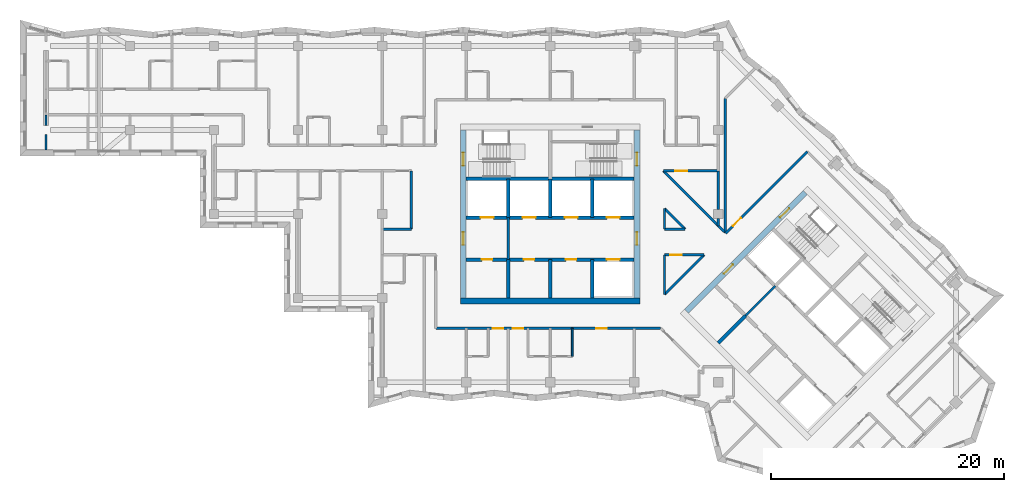
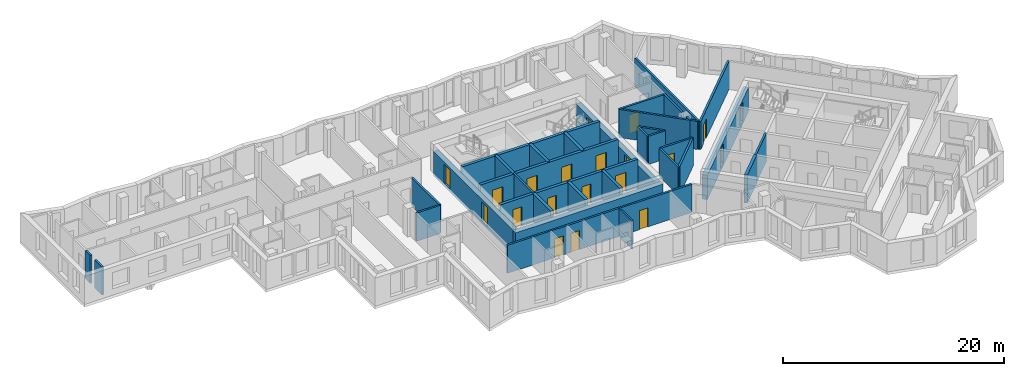
# One storey, part 4 of 13: 36 walls, 20 doors, 20 openings.
"""IFC4 building model written with IfcOpenShell, lengths in metres."""

from ifc_helpers import new_model, si_unit, direction, frame, frame_2d, origin, place, context, subcontext, project, spatial, rectangle, extrude, material, layer, layer_set, type_object, element, fill, save


model = new_model("IFC4")

# Units and contexts
model_context = context("Model", 3, precision=1e-05, world=origin(), true_north=direction((0.0, 1.0)))
body_context = subcontext(model_context, "Body", "Model", "MODEL_VIEW")
ifc_project = project(units=[si_unit("LENGTHUNIT", "METRE"), si_unit("AREAUNIT", "SQUARE_METRE"), si_unit("VOLUMEUNIT", "CUBIC_METRE"), si_unit("PLANEANGLEUNIT", "RADIAN"), si_unit("MASSUNIT", "GRAM", prefix="KILO")], contexts=[model_context])

# Site, building, storey
site_placement = place(None, origin())
site = spatial("IfcSite", under=ifc_project, at=site_placement, CompositionType="ELEMENT")
building_placement = place(site_placement, origin())
building = spatial("IfcBuilding", under=site, at=building_placement, Name="Windrow Commons", CompositionType="ELEMENT")
storey_placement = place(building_placement, frame((0.0, 0.0, 203.2)))
storey = spatial("IfcBuildingStorey", under=building, at=storey_placement, Name="L55", CompositionType="ELEMENT", Elevation=203.2)

# Walls
ifc_material_1 = material(Name="Blockwork partition", Category="masonry")
ifc_layer_1 = layer(ifc_material_1, 0.2)
ifc_layer_set_1 = layer_set([ifc_layer_1], Name="Fire lobby partition 200")
wall_type_1 = type_object("IfcWallType", Name="Fire lobby partition 200", PredefinedType="PARTITIONING", material=ifc_layer_set_1)
for number, where, z_axis, x_axis, name in (
    (1, (61.2, 53.7, 0.0), (0.0, 0.0, 1.0), (0.0, 1.0, 0.0), "W-core-lobby-A-L55"),
    (2, (81.5335, 48.8776, 0.0), (0.0, 0.0, 1.0), (0.707092892, 0.7071206701, 0.0), "W-core-lobby-B-L55"),
):
    element("IfcWall", number, at=place(storey_placement, frame(where, z_axis=z_axis, x_axis=x_axis)), inside=storey, type_object=wall_type_1, Name=name, PredefinedType="PARTITIONING", context=body_context, shape_type="SweptSolid", body=[
        extrude(rectangle(XDim=3.6, YDim=0.2, at=frame_2d((1.8, 0.0))), origin(), (0.0, 0.0, 1.0), 3.1),
    ])

# Wall, openings, doors
ifc_material_2 = material(Name="Blockwork partition", Category="masonry")
ifc_layer_2 = layer(ifc_material_2, 0.2)
ifc_layer_set_2 = layer_set([ifc_layer_2], Name="IW-CORRIDOR-200")
wall_type_2 = type_object("IfcWallType", Name="IW-CORRIDOR-200", PredefinedType="PARTITIONING", material=ifc_layer_set_2)
wall_1_placement = place(storey_placement, frame((55.0, 47.8, 0.0), z_axis=(0.0, 0.0, 1.0), x_axis=(1.0, 0.0, 0.0)))
wall_1 = element("IfcWall", 3, at=wall_1_placement, inside=storey, type_object=wall_type_2, Name="W-L55-W001", PredefinedType="PARTITIONING", context=body_context, shape_type="SweptSolid", body=[
    extrude(rectangle(XDim=19.266, YDim=0.2, at=frame_2d((9.633, 0.0))), origin(), (0.0, 0.0, 1.0), 3.1),
])
opening_1_placement = place(wall_1_placement, frame((4.9, 0.0, 0.0)))
opening_1 = element("IfcOpeningElement", 4, at=opening_1_placement, cuts=wall_1, Name="Opening D109S", PredefinedType="OPENING", context=body_context, shape_type="SweptSolid", body=[
    extrude(rectangle(XDim=0.9, YDim=2.1, at=frame_2d((0.45, 1.05))), frame((0.0, 0.11, 0.0), z_axis=(0.0, -1.0, 0.0), x_axis=(1.0, 0.0, 0.0)), (0.0, 0.0, 1.0), 0.22),
])
opening_2_placement = place(wall_1_placement, frame((6.6, 0.0, 0.0)))
opening_2 = element("IfcOpeningElement", 5, at=opening_2_placement, cuts=wall_1, Name="Opening D109S", PredefinedType="OPENING", context=body_context, shape_type="SweptSolid", body=[
    extrude(rectangle(XDim=0.9, YDim=2.1, at=frame_2d((0.45, 1.05))), frame((0.0, 0.11, 0.0), z_axis=(0.0, -1.0, 0.0), x_axis=(1.0, 0.0, 0.0)), (0.0, 0.0, 1.0), 0.22),
])
opening_3_placement = place(wall_1_placement, frame((13.7434, 0.0, 0.0)))
opening_3 = element("IfcOpeningElement", 6, at=opening_3_placement, cuts=wall_1, Name="Opening D109F", PredefinedType="OPENING", context=body_context, shape_type="SweptSolid", body=[
    extrude(rectangle(XDim=0.9, YDim=2.1, at=frame_2d((0.45, 1.05))), frame((0.0, 0.11, 0.0), z_axis=(0.0, -1.0, 0.0), x_axis=(1.0, 0.0, 0.0)), (0.0, 0.0, 1.0), 0.22),
])
ifc_material_3 = material(Name="Timber door leaf", Category="wood")
door_type_1 = type_object("IfcDoorType", Name="DT-BEDROOM-900", OperationType="SINGLE_SWING_LEFT", PredefinedType="DOOR", material=ifc_material_3)
door_1_placement = place(opening_1_placement, origin())
door_1 = element("IfcDoor", 7, at=door_1_placement, inside=storey, type_object=door_type_1, Name="D-L55-D036", OperationType="SINGLE_SWING_LEFT", OverallHeight=2.1, OverallWidth=0.9, PredefinedType="DOOR", context=body_context, shape_type="SweptSolid", body=[
    extrude(rectangle(XDim=0.9, YDim=2.1, at=frame_2d((0.45, 1.05))), frame((0.0, 0.025, 0.0), z_axis=(0.0, -1.0, 0.0), x_axis=(1.0, 0.0, 0.0)), (0.0, 0.0, 1.0), 0.05),
])
fill(opening_1, door_1)
door_2_placement = place(opening_2_placement, origin())
door_2 = element("IfcDoor", 8, at=door_2_placement, inside=storey, type_object=door_type_1, Name="D-L55-D038", OperationType="SINGLE_SWING_RIGHT", OverallHeight=2.1, OverallWidth=0.9, PredefinedType="DOOR", context=body_context, shape_type="SweptSolid", body=[
    extrude(rectangle(XDim=0.9, YDim=2.1, at=frame_2d((0.45, 1.05))), frame((0.0, 0.025, 0.0), z_axis=(0.0, -1.0, 0.0), x_axis=(1.0, 0.0, 0.0)), (0.0, 0.0, 1.0), 0.05),
])
fill(opening_2, door_2)
door_3_placement = place(opening_3_placement, origin())
door_3 = element("IfcDoor", 9, at=door_3_placement, inside=storey, type_object=door_type_1, Name="D-L55-D040", OperationType="SINGLE_SWING_LEFT", OverallHeight=2.1, OverallWidth=0.9, PredefinedType="DOOR", context=body_context, shape_type="SweptSolid", body=[
    extrude(rectangle(XDim=0.9, YDim=2.1, at=frame_2d((0.45, 1.05))), frame((0.0, 0.025, 0.0), z_axis=(0.0, -1.0, 0.0), x_axis=(1.0, 0.0, 0.0)), (0.0, 0.0, 1.0), 0.05),
])
fill(opening_3, door_3)

# Wall, opening, door
wall_2_placement = place(storey_placement, frame((79.837, 55.951, 0.0), z_axis=(0.0, 0.0, 1.0), x_axis=(0.7071067812, 0.7071067812, 0.0)))
wall_2 = element("IfcWall", 10, at=wall_2_placement, inside=storey, type_object=wall_type_2, Name="W-L55-W010", PredefinedType="PARTITIONING", context=body_context, shape_type="SweptSolid", body=[
    extrude(rectangle(XDim=9.8967, YDim=0.2, at=frame_2d((4.9483, 0.0))), origin(), (0.0, 0.0, 1.0), 3.1),
])
opening_4_placement = place(wall_2_placement, frame((0.873, 0.0, 0.0)))
opening_4 = element("IfcOpeningElement", 11, at=opening_4_placement, cuts=wall_2, Name="Opening D310F", PredefinedType="OPENING", context=body_context, shape_type="SweptSolid", body=[
    extrude(rectangle(XDim=1.0, YDim=2.1, at=frame_2d((0.5, 1.05))), frame((0.0, 0.11, 0.0), z_axis=(0.0, -1.0, 0.0), x_axis=(1.0, 0.0, 0.0)), (0.0, 0.0, 1.0), 0.22),
])
ifc_material_4 = material(Name="Timber door leaf", Category="wood")
door_type_2 = type_object("IfcDoorType", Name="DT-AMENITY-1000", OperationType="SINGLE_SWING_LEFT", PredefinedType="DOOR", material=ifc_material_4)
door_4_placement = place(opening_4_placement, origin())
door_4 = element("IfcDoor", 12, at=door_4_placement, inside=storey, type_object=door_type_2, Name="D-L55-D043", OperationType="SINGLE_SWING_RIGHT", OverallHeight=2.1, OverallWidth=1.0, PredefinedType="DOOR", context=body_context, shape_type="SweptSolid", body=[
    extrude(rectangle(XDim=1.0, YDim=2.1, at=frame_2d((0.5, 1.05))), frame((0.0, 0.025, 0.0), z_axis=(0.0, -1.0, 0.0), x_axis=(1.0, 0.0, 0.0)), (0.0, 0.0, 1.0), 0.05),
])
fill(opening_4, door_4)

# Walls
wall_3_placement = place(storey_placement, frame((74.4888, 61.3029, 0.0), z_axis=(0.0, 0.0, 1.0), x_axis=(0.7071892763, -0.7070242765, 0.0)))
element("IfcWall", 13, at=wall_3_placement, inside=storey, type_object=wall_type_2, Name="W-L55-W018", PredefinedType="PARTITIONING", context=body_context, shape_type="SweptSolid", body=[
    extrude(rectangle(XDim=6.6667, YDim=0.2, at=frame_2d((3.3333, 0.0))), origin(), (0.0, 0.0, 1.0), 3.1),
])
wall_4_placement = place(storey_placement, frame((52.9, 56.302, 0.0), z_axis=(0.0, 0.0, 1.0), x_axis=(0.0, 1.0, 0.0)))
element("IfcWall", 14, at=wall_4_placement, inside=storey, type_object=wall_type_2, Name="W-L55-W028", PredefinedType="PARTITIONING", context=body_context, shape_type="SweptSolid", body=[
    extrude(rectangle(XDim=4.998, YDim=0.2, at=frame_2d((2.499, 0.0))), origin(), (0.0, 0.0, 1.0), 3.1),
])
wall_5_placement = place(storey_placement, frame((74.601, 50.715, 0.0), z_axis=(0.0, 0.0, 1.0), x_axis=(0.7071067812, 0.7071067812, 0.0)))
element("IfcWall", 15, at=wall_5_placement, inside=storey, type_object=wall_type_2, Name="W-L55-W030", PredefinedType="PARTITIONING", context=body_context, shape_type="SweptSolid", body=[
    extrude(rectangle(XDim=4.7857, YDim=0.2, at=frame_2d((2.3929, 0.0))), origin(), (0.0, 0.0, 1.0), 3.1),
])

# Wall, opening, door
wall_6_placement = place(storey_placement, frame((74.4888, 61.3029, 0.0), z_axis=(0.0, 0.0, 1.0), x_axis=(0.9999998105, -0.0006155543, 0.0)))
wall_6 = element("IfcWall", 16, at=wall_6_placement, inside=storey, type_object=wall_type_2, Name="W-L55-W031", PredefinedType="PARTITIONING", context=body_context, shape_type="SweptSolid", body=[
    extrude(rectangle(XDim=4.7112, YDim=0.2, at=frame_2d((2.3556, 0.0))), origin(), (0.0, 0.0, 1.0), 3.1),
])
opening_5_placement = place(wall_6_placement, frame((1.0366, 0.0, 0.0)))
opening_5 = element("IfcOpeningElement", 17, at=opening_5_placement, cuts=wall_6, Name="Opening D410F", PredefinedType="OPENING", context=body_context, shape_type="SweptSolid", body=[
    extrude(rectangle(XDim=1.0, YDim=2.1, at=frame_2d((0.5, 1.05))), frame((0.0, 0.11, 0.0), z_axis=(0.0, -1.0, 0.0), x_axis=(1.0, 0.0, 0.0)), (0.0, 0.0, 1.0), 0.22),
])
ifc_material_5 = material(Name="Timber door leaf", Category="wood")
door_type_3 = type_object("IfcDoorType", Name="DT-SERVICE-1000", OperationType="SINGLE_SWING_LEFT", PredefinedType="DOOR", material=ifc_material_5)
door_5_placement = place(opening_5_placement, origin())
door_5 = element("IfcDoor", 18, at=door_5_placement, inside=storey, type_object=door_type_3, Name="D-L55-D028", OperationType="SINGLE_SWING_RIGHT", OverallHeight=2.1, OverallWidth=1.0, PredefinedType="DOOR", context=body_context, shape_type="SweptSolid", body=[
    extrude(rectangle(XDim=1.0, YDim=2.1, at=frame_2d((0.5, 1.05))), frame((0.0, 0.025, 0.0), z_axis=(0.0, -1.0, 0.0), x_axis=(1.0, 0.0, 0.0)), (0.0, 0.0, 1.0), 0.05),
])
fill(opening_5, door_5)

# Wall
wall_7_placement = place(storey_placement, frame((74.6, 50.714, 0.0), z_axis=(0.0, 0.0, 1.0), x_axis=(0.0, 1.0, 0.0)))
element("IfcWall", 19, at=wall_7_placement, inside=storey, type_object=wall_type_2, Name="W-L55-W046", PredefinedType="PARTITIONING", context=body_context, shape_type="SweptSolid", body=[
    extrude(rectangle(XDim=3.386, YDim=0.2, at=frame_2d((1.693, 0.0))), origin(), (0.0, 0.0, 1.0), 3.1),
])

# Wall, opening, door
wall_8_placement = place(storey_placement, frame((74.602, 54.1, 0.0), z_axis=(0.0, 0.0, 1.0), x_axis=(1.0, 0.0, 0.0)))
wall_8 = element("IfcWall", 20, at=wall_8_placement, inside=storey, type_object=wall_type_2, Name="W-L55-W047", PredefinedType="PARTITIONING", context=body_context, shape_type="SweptSolid", body=[
    extrude(rectangle(XDim=3.384, YDim=0.2, at=frame_2d((1.692, 0.0))), origin(), (0.0, 0.0, 1.0), 3.1),
])
opening_6_placement = place(wall_8_placement, frame((0.4665, 0.0, 0.0)))
opening_6 = element("IfcOpeningElement", 21, at=opening_6_placement, cuts=wall_8, Name="Opening D310F", PredefinedType="OPENING", context=body_context, shape_type="SweptSolid", body=[
    extrude(rectangle(XDim=1.0, YDim=2.1, at=frame_2d((0.5, 1.05))), frame((0.0, 0.11, 0.0), z_axis=(0.0, -1.0, 0.0), x_axis=(1.0, 0.0, 0.0)), (0.0, 0.0, 1.0), 0.22),
])
door_6_placement = place(opening_6_placement, origin())
door_6 = element("IfcDoor", 22, at=door_6_placement, inside=storey, type_object=door_type_2, Name="D-L55-D000", OperationType="SINGLE_SWING_RIGHT", OverallHeight=2.1, OverallWidth=1.0, PredefinedType="DOOR", context=body_context, shape_type="SweptSolid", body=[
    extrude(rectangle(XDim=1.0, YDim=2.1, at=frame_2d((0.5, 1.05))), frame((0.0, 0.025, 0.0), z_axis=(0.0, -1.0, 0.0), x_axis=(1.0, 0.0, 0.0)), (0.0, 0.0, 1.0), 0.05),
])
fill(opening_6, door_6)

# Walls
wall_9_placement = place(storey_placement, frame((74.5987, 58.0687, 0.0), z_axis=(0.0, 0.0, 1.0), x_axis=(0.7071067812, -0.7071067812, 0.0)))
element("IfcWall", 23, at=wall_9_placement, inside=storey, type_object=wall_type_2, Name="W-L55-W056", PredefinedType="PARTITIONING", context=body_context, shape_type="SweptSolid", body=[
    extrude(rectangle(XDim=2.5032, YDim=0.2, at=frame_2d((1.2516, 0.0))), origin(), (0.0, 0.0, 1.0), 3.1),
])
wall_10_placement = place(storey_placement, frame((50.4, 56.3, 0.0), z_axis=(0.0, 0.0, 1.0), x_axis=(1.0, 0.0, 0.0)))
element("IfcWall", 24, at=wall_10_placement, inside=storey, type_object=wall_type_2, Name="W-L55-W057", PredefinedType="PARTITIONING", context=body_context, shape_type="SweptSolid", body=[
    extrude(rectangle(XDim=2.5, YDim=0.2, at=frame_2d((1.25, 0.0))), origin(), (0.0, 0.0, 1.0), 3.1),
])
for number, where, z_axis, x_axis, name in (
    (25, (74.6, 56.302, 0.0), (0.0, 0.0, 1.0), (0.0, 1.0, 0.0), "W-L55-W129"),
    (26, (74.602, 56.3, 0.0), (0.0, 0.0, 1.0), (1.0, 0.0, 0.0), "W-L55-W130"),
):
    element("IfcWall", number, at=place(storey_placement, frame(where, z_axis=z_axis, x_axis=x_axis)), inside=storey, type_object=wall_type_2, Name=name, PredefinedType="PARTITIONING", context=body_context, shape_type="SweptSolid", body=[
        extrude(rectangle(XDim=1.77, YDim=0.2, at=frame_2d((0.885, 0.0))), origin(), (0.0, 0.0, 1.0), 3.1),
    ])
wall_11_placement = place(storey_placement, frame((79.2019, 56.5879, 0.0), z_axis=(0.0, 0.0, 1.0), x_axis=(0.7056768426, -0.7085338339, 0.0)))
element("IfcWall", 27, at=wall_11_placement, inside=storey, type_object=wall_type_2, Name="W-L55-W152", PredefinedType="PARTITIONING", context=body_context, shape_type="SweptSolid", body=[
    extrude(rectangle(XDim=0.7, YDim=0.2, at=frame_2d((0.35, 0.0))), origin(), (0.0, 0.0, 1.0), 3.1),
])
ifc_material_6 = material(Name="Blockwork partition", Category="masonry")
ifc_layer_3 = layer(ifc_material_6, 0.15)
ifc_layer_set_3 = layer_set([ifc_layer_3], Name="IW-ENSUITE-150")
wall_type_3 = type_object("IfcWallType", Name="IW-ENSUITE-150", PredefinedType="PARTITIONING", material=ifc_layer_set_3)
wall_12_placement = place(storey_placement, frame((66.7, 45.4, 0.0), z_axis=(0.0, 0.0, 1.0), x_axis=(0.0, 1.0, 0.0)))
element("IfcWall", 28, at=wall_12_placement, inside=storey, type_object=wall_type_3, Name="W-L55-W083", PredefinedType="PARTITIONING", context=body_context, shape_type="SweptSolid", body=[
    extrude(rectangle(XDim=2.4, YDim=0.15, at=frame_2d((1.2, 0.0))), origin(), (0.0, 0.0, 1.0), 3.1),
])
ifc_material_7 = material(Name="Blockwork partition", Category="masonry")
ifc_layer_4 = layer(ifc_material_7, 0.2)
ifc_layer_set_4 = layer_set([ifc_layer_4], Name="IW-PARTY-200")
wall_type_4 = type_object("IfcWallType", Name="IW-PARTY-200", PredefinedType="PARTITIONING", material=ifc_layer_set_4)
wall_13_placement = place(storey_placement, frame((79.8, 55.986, 0.0), z_axis=(0.0, 0.0, 1.0), x_axis=(0.0, 1.0, 0.0)))
element("IfcWall", 29, at=wall_13_placement, inside=storey, type_object=wall_type_4, Name="W-L55-W008", PredefinedType="PARTITIONING", context=body_context, shape_type="SweptSolid", body=[
    extrude(rectangle(XDim=11.522, YDim=0.2, at=frame_2d((5.761, 0.0))), origin(), (0.0, 0.0, 1.0), 3.1),
])
wall_14_placement = place(storey_placement, frame((79.2, 58.0, 0.0), z_axis=(0.0, 0.0, 1.0), x_axis=(0.0, 1.0, 0.0)))
element("IfcWall", 30, at=wall_14_placement, inside=storey, type_object=wall_type_4, Name="W-L55-W049", PredefinedType="PARTITIONING", context=body_context, shape_type="SweptSolid", body=[
    extrude(rectangle(XDim=3.3, YDim=0.2, at=frame_2d((1.65, 0.0))), origin(), (0.0, 0.0, 1.0), 3.1),
])
wall_15_placement = place(storey_placement, frame((21.6, 63.079, 0.0), z_axis=(0.0, 0.0, 1.0), x_axis=(0.0, 1.0, 0.0)))
element("IfcWall", 31, at=wall_15_placement, inside=storey, type_object=wall_type_4, Name="W-L55-W133", PredefinedType="PARTITIONING", context=body_context, shape_type="SweptSolid", body=[
    extrude(rectangle(XDim=1.321, YDim=0.2, at=frame_2d((0.6605, 0.0))), origin(), (0.0, 0.0, 1.0), 3.1),
])
wall_16_placement = place(storey_placement, frame((21.6, 65.2, 0.0), z_axis=(0.0, 0.0, 1.0), x_axis=(0.0, 1.0, 0.0)))
element("IfcWall", 32, at=wall_16_placement, inside=storey, type_object=wall_type_4, Name="W-L55-W145", PredefinedType="PARTITIONING", context=body_context, shape_type="SweptSolid", body=[
    extrude(rectangle(XDim=0.9, YDim=0.2, at=frame_2d((0.45, 0.0))), origin(), (0.0, 0.0, 1.0), 3.1),
])
wall_17_placement = place(storey_placement, frame((79.2, 56.586, 0.0), z_axis=(0.0, 0.0, 1.0), x_axis=(0.0, 1.0, 0.0)))
element("IfcWall", 33, at=wall_17_placement, inside=storey, type_object=wall_type_4, Name="W-L55-W159", PredefinedType="PARTITIONING", context=body_context, shape_type="SweptSolid", body=[
    extrude(rectangle(XDim=0.614, YDim=0.2, at=frame_2d((0.307, 0.0))), origin(), (0.0, 0.0, 1.0), 3.1),
])
ifc_material_8 = material(Name="Concrete C40/50", Category="concrete")
ifc_layer_5 = layer(ifc_material_8, 0.5)
ifc_layer_set_5 = layer_set([ifc_layer_5], Name="RC CORE WALL 500 C40/50")
wall_type_5 = type_object("IfcWallType", Name="RC CORE WALL 500 C40/50", PredefinedType="SHEAR", material=ifc_layer_set_5)
wall_18_placement = place(storey_placement, frame((57.1, 50.15, -0.3), z_axis=(0.0, 0.0, 1.0), x_axis=(1.0, 0.0, 0.0)))
element("IfcWall", 34, at=wall_18_placement, inside=storey, type_object=wall_type_5, Name="Core A wall outer-S", PredefinedType="SHEAR", context=body_context, shape_type="SweptSolid", body=[
    extrude(rectangle(XDim=15.4, YDim=0.5, at=frame_2d((7.7, 0.0))), origin(), (0.0, 0.0, 1.0), 2.7),
])

# Wall, openings, doors
wall_19_placement = place(storey_placement, frame((57.35, 50.4, -0.3), z_axis=(0.0, 0.0, 1.0), x_axis=(0.0, 1.0, 0.0)))
wall_19 = element("IfcWall", 35, at=wall_19_placement, inside=storey, type_object=wall_type_5, Name="Core A wall outer-W", PredefinedType="SHEAR", context=body_context, shape_type="SweptSolid", body=[
    extrude(rectangle(XDim=14.4, YDim=0.5, at=frame_2d((7.2, 0.0))), origin(), (0.0, 0.0, 1.0), 2.7),
])
opening_7_placement = place(wall_19_placement, frame((4.55, 0.0, 0.3)))
opening_7 = element("IfcOpeningElement", 36, at=opening_7_placement, cuts=wall_19, Name="Opening D6", PredefinedType="OPENING", context=body_context, shape_type="SweptSolid", body=[
    extrude(rectangle(XDim=1.1, YDim=2.1, at=frame_2d((0.55, 1.05))), frame((0.0, 0.26, 0.0), z_axis=(0.0, -1.0, 0.0), x_axis=(1.0, 0.0, 0.0)), (0.0, 0.0, 1.0), 0.52),
])
opening_8_placement = place(wall_19_placement, frame((11.35, 0.0, 0.3)))
opening_8 = element("IfcOpeningElement", 37, at=opening_8_placement, cuts=wall_19, Name="Opening D7", PredefinedType="OPENING", context=body_context, shape_type="SweptSolid", body=[
    extrude(rectangle(XDim=1.1, YDim=2.1, at=frame_2d((0.55, 1.05))), frame((0.0, 0.26, 0.0), z_axis=(0.0, -1.0, 0.0), x_axis=(1.0, 0.0, 0.0)), (0.0, 0.0, 1.0), 0.52),
])
ifc_material_9 = material(Name="Steel fire door leaf", Category="steel")
door_type_4 = type_object("IfcDoorType", Name="Core lobby door 1100", OperationType="SINGLE_SWING_LEFT", PredefinedType="DOOR", material=ifc_material_9)
door_7_placement = place(opening_7_placement, origin())
door_7 = element("IfcDoor", 38, at=door_7_placement, inside=storey, type_object=door_type_4, Name="Lift lobby door", OperationType="DOUBLE_DOOR_SINGLE_SWING", OverallHeight=2.1, OverallWidth=1.1, PredefinedType="DOOR", context=body_context, shape_type="SweptSolid", body=[
    extrude(rectangle(XDim=1.1, YDim=2.1, at=frame_2d((0.55, 1.05))), frame((0.0, 0.025, 0.0), z_axis=(0.0, -1.0, 0.0), x_axis=(1.0, 0.0, 0.0)), (0.0, 0.0, 1.0), 0.05),
])
fill(opening_7, door_7)
ifc_material_10 = material(Name="Steel fire door leaf", Category="steel")
door_type_5 = type_object("IfcDoorType", Name="Stair door 1100", OperationType="SINGLE_SWING_LEFT", PredefinedType="DOOR", material=ifc_material_10)
door_8_placement = place(opening_8_placement, origin())
door_8 = element("IfcDoor", 39, at=door_8_placement, inside=storey, type_object=door_type_5, Name="Stair door", OperationType="SINGLE_SWING_LEFT", OverallHeight=2.1, OverallWidth=1.1, PredefinedType="DOOR", context=body_context, shape_type="SweptSolid", body=[
    extrude(rectangle(XDim=1.1, YDim=2.1, at=frame_2d((0.55, 1.05))), frame((0.0, 0.025, 0.0), z_axis=(0.0, -1.0, 0.0), x_axis=(1.0, 0.0, 0.0)), (0.0, 0.0, 1.0), 0.05),
])
fill(opening_8, door_8)

wall_20_placement = place(storey_placement, frame((72.25, 50.4, -0.3), z_axis=(0.0, 0.0, 1.0), x_axis=(0.0, 1.0, 0.0)))
wall_20 = element("IfcWall", 40, at=wall_20_placement, inside=storey, type_object=wall_type_5, Name="Core A wall outer-E", PredefinedType="SHEAR", context=body_context, shape_type="SweptSolid", body=[
    extrude(rectangle(XDim=14.4, YDim=0.5, at=frame_2d((7.2, 0.0))), origin(), (0.0, 0.0, 1.0), 2.7),
])
opening_9_placement = place(wall_20_placement, frame((4.55, 0.0, 0.3)))
opening_9 = element("IfcOpeningElement", 41, at=opening_9_placement, cuts=wall_20, Name="Opening D6", PredefinedType="OPENING", context=body_context, shape_type="SweptSolid", body=[
    extrude(rectangle(XDim=1.1, YDim=2.1, at=frame_2d((0.55, 1.05))), frame((0.0, 0.26, 0.0), z_axis=(0.0, -1.0, 0.0), x_axis=(1.0, 0.0, 0.0)), (0.0, 0.0, 1.0), 0.52),
])
opening_10_placement = place(wall_20_placement, frame((11.35, 0.0, 0.3)))
opening_10 = element("IfcOpeningElement", 42, at=opening_10_placement, cuts=wall_20, Name="Opening D7", PredefinedType="OPENING", context=body_context, shape_type="SweptSolid", body=[
    extrude(rectangle(XDim=1.1, YDim=2.1, at=frame_2d((0.55, 1.05))), frame((0.0, 0.26, 0.0), z_axis=(0.0, -1.0, 0.0), x_axis=(1.0, 0.0, 0.0)), (0.0, 0.0, 1.0), 0.52),
])
door_9_placement = place(opening_9_placement, origin())
door_9 = element("IfcDoor", 43, at=door_9_placement, inside=storey, type_object=door_type_4, Name="Lift lobby door", OperationType="DOUBLE_DOOR_SINGLE_SWING", OverallHeight=2.1, OverallWidth=1.1, PredefinedType="DOOR", context=body_context, shape_type="SweptSolid", body=[
    extrude(rectangle(XDim=1.1, YDim=2.1, at=frame_2d((0.55, 1.05))), frame((0.0, 0.025, 0.0), z_axis=(0.0, -1.0, 0.0), x_axis=(1.0, 0.0, 0.0)), (0.0, 0.0, 1.0), 0.05),
])
fill(opening_9, door_9)
door_10_placement = place(opening_10_placement, origin())
door_10 = element("IfcDoor", 44, at=door_10_placement, inside=storey, type_object=door_type_5, Name="Stair door", OperationType="SINGLE_SWING_RIGHT", OverallHeight=2.1, OverallWidth=1.1, PredefinedType="DOOR", context=body_context, shape_type="SweptSolid", body=[
    extrude(rectangle(XDim=1.1, YDim=2.1, at=frame_2d((0.55, 1.05))), frame((0.0, 0.025, 0.0), z_axis=(0.0, -1.0, 0.0), x_axis=(1.0, 0.0, 0.0)), (0.0, 0.0, 1.0), 0.05),
])
fill(opening_10, door_10)

wall_21_placement = place(storey_placement, frame((76.4776, 49.2665, -0.3), z_axis=(0.0, 0.0, 1.0), x_axis=(0.7071067812, 0.7071067812, 0.0)))
wall_21 = element("IfcWall", 45, at=wall_21_placement, inside=storey, type_object=wall_type_5, Name="Core B wall outer-W", PredefinedType="SHEAR", context=body_context, shape_type="SweptSolid", body=[
    extrude(rectangle(XDim=14.4001, YDim=0.5, at=frame_2d((7.2001, 0.0))), origin(), (0.0, 0.0, 1.0), 2.7),
])
opening_11_placement = place(wall_21_placement, frame((4.55, 0.0, 0.3)))
opening_11 = element("IfcOpeningElement", 46, at=opening_11_placement, cuts=wall_21, Name="Opening D6", PredefinedType="OPENING", context=body_context, shape_type="SweptSolid", body=[
    extrude(rectangle(XDim=1.1, YDim=2.1, at=frame_2d((0.55, 1.05))), frame((0.0, 0.26, 0.0), z_axis=(0.0, -1.0, 0.0), x_axis=(1.0, 0.0, 0.0)), (0.0, 0.0, 1.0), 0.52),
])
opening_12_placement = place(wall_21_placement, frame((11.35, 0.0, 0.3)))
opening_12 = element("IfcOpeningElement", 47, at=opening_12_placement, cuts=wall_21, Name="Opening D7", PredefinedType="OPENING", context=body_context, shape_type="SweptSolid", body=[
    extrude(rectangle(XDim=1.1, YDim=2.1, at=frame_2d((0.55, 1.05))), frame((0.0, 0.26, 0.0), z_axis=(0.0, -1.0, 0.0), x_axis=(1.0, 0.0, 0.0)), (0.0, 0.0, 1.0), 0.52),
])
door_11_placement = place(opening_11_placement, origin())
door_11 = element("IfcDoor", 48, at=door_11_placement, inside=storey, type_object=door_type_4, Name="Lift lobby door", OperationType="DOUBLE_DOOR_SINGLE_SWING", OverallHeight=2.1, OverallWidth=1.1, PredefinedType="DOOR", context=body_context, shape_type="SweptSolid", body=[
    extrude(rectangle(XDim=1.1, YDim=2.1, at=frame_2d((0.55, 1.05))), frame((0.0, 0.025, 0.0), z_axis=(0.0, -1.0, 0.0), x_axis=(1.0, 0.0, 0.0)), (0.0, 0.0, 1.0), 0.05),
])
fill(opening_11, door_11)
door_12_placement = place(opening_12_placement, origin())
door_12 = element("IfcDoor", 49, at=door_12_placement, inside=storey, type_object=door_type_5, Name="Stair door", OperationType="SINGLE_SWING_LEFT", OverallHeight=2.1, OverallWidth=1.1, PredefinedType="DOOR", context=body_context, shape_type="SweptSolid", body=[
    extrude(rectangle(XDim=1.1, YDim=2.1, at=frame_2d((0.55, 1.05))), frame((0.0, 0.025, 0.0), z_axis=(0.0, -1.0, 0.0), x_axis=(1.0, 0.0, 0.0)), (0.0, 0.0, 1.0), 0.05),
])
fill(opening_12, door_12)

# Walls
ifc_material_11 = material(Name="Concrete C40/50", Category="concrete")
ifc_layer_6 = layer(ifc_material_11, 0.3)
ifc_layer_set_6 = layer_set([ifc_layer_6], Name="RC SHAFT WALL 300 C40/50")
wall_type_6 = type_object("IfcWallType", Name="RC SHAFT WALL 300 C40/50", PredefinedType="SOLIDWALL", material=ifc_layer_set_6)
for number, where, z_axis, x_axis, name in (
    (50, (61.2, 50.4, 0.0), (0.0, 0.0, 1.0), (0.0, 1.0, 0.0), "Core A wall shaft-S1"),
    (51, (61.2, 57.3, 0.0), (0.0, 0.0, 1.0), (0.0, 1.0, 0.0), "Core A wall shaft-N1"),
    (52, (64.8, 50.4, 0.0), (0.0, 0.0, 1.0), (0.0, 1.0, 0.0), "Core A wall shaft-S2"),
    (53, (64.8, 57.3, 0.0), (0.0, 0.0, 1.0), (0.0, 1.0, 0.0), "Core A wall shaft-N2"),
    (54, (68.4, 50.4, 0.0), (0.0, 0.0, 1.0), (0.0, 1.0, 0.0), "Core A wall shaft-S3"),
    (55, (68.4, 57.3, 0.0), (0.0, 0.0, 1.0), (0.0, 1.0, 0.0), "Core A wall shaft-N3"),
):
    element("IfcWall", number, at=place(storey_placement, frame(where, z_axis=z_axis, x_axis=x_axis)), inside=storey, type_object=wall_type_6, Name=name, PredefinedType="SOLIDWALL", context=body_context, shape_type="SweptSolid", body=[
        extrude(rectangle(XDim=3.3, YDim=0.3, at=frame_2d((1.65, 0.0))), origin(), (0.0, 0.0, 1.0), 3.1),
    ])

# Wall, openings, doors
wall_22_placement = place(storey_placement, frame((57.6, 53.7, 0.0), z_axis=(0.0, 0.0, 1.0), x_axis=(1.0, 0.0, 0.0)))
wall_22 = element("IfcWall", 56, at=wall_22_placement, inside=storey, type_object=wall_type_6, Name="Core A wall lobby-S", PredefinedType="SOLIDWALL", context=body_context, shape_type="SweptSolid", body=[
    extrude(rectangle(XDim=14.4, YDim=0.3, at=frame_2d((7.2, 0.0))), origin(), (0.0, 0.0, 1.0), 3.1),
])
opening_13_placement = place(wall_22_placement, frame((1.35, 0.0, 0.0)))
opening_13 = element("IfcOpeningElement", 57, at=opening_13_placement, cuts=wall_22, Name="Opening D8", PredefinedType="OPENING", context=body_context, shape_type="SweptSolid", body=[
    extrude(rectangle(XDim=0.9, YDim=2.1, at=frame_2d((0.45, 1.05))), frame((0.0, 0.16, 0.0), z_axis=(0.0, -1.0, 0.0), x_axis=(1.0, 0.0, 0.0)), (0.0, 0.0, 1.0), 0.32),
])
opening_14_placement = place(wall_22_placement, frame((4.95, 0.0, 0.0)))
opening_14 = element("IfcOpeningElement", 58, at=opening_14_placement, cuts=wall_22, Name="Opening D8", PredefinedType="OPENING", context=body_context, shape_type="SweptSolid", body=[
    extrude(rectangle(XDim=0.9, YDim=2.1, at=frame_2d((0.45, 1.05))), frame((0.0, 0.16, 0.0), z_axis=(0.0, -1.0, 0.0), x_axis=(1.0, 0.0, 0.0)), (0.0, 0.0, 1.0), 0.32),
])
opening_15_placement = place(wall_22_placement, frame((8.55, 0.0, 0.0)))
opening_15 = element("IfcOpeningElement", 59, at=opening_15_placement, cuts=wall_22, Name="Opening D8", PredefinedType="OPENING", context=body_context, shape_type="SweptSolid", body=[
    extrude(rectangle(XDim=0.9, YDim=2.1, at=frame_2d((0.45, 1.05))), frame((0.0, 0.16, 0.0), z_axis=(0.0, -1.0, 0.0), x_axis=(1.0, 0.0, 0.0)), (0.0, 0.0, 1.0), 0.32),
])
opening_16_placement = place(wall_22_placement, frame((12.05, 0.0, 0.0)))
opening_16 = element("IfcOpeningElement", 60, at=opening_16_placement, cuts=wall_22, Name="Opening LD", PredefinedType="OPENING", context=body_context, shape_type="SweptSolid", body=[
    extrude(rectangle(XDim=1.1, YDim=2.1, at=frame_2d((0.55, 1.05))), frame((0.0, 0.16, 0.0), z_axis=(0.0, -1.0, 0.0), x_axis=(1.0, 0.0, 0.0)), (0.0, 0.0, 1.0), 0.32),
])
ifc_material_12 = material(Name="Steel fire door leaf", Category="steel")
door_type_6 = type_object("IfcDoorType", Name="Core store door 900", OperationType="SINGLE_SWING_LEFT", PredefinedType="DOOR", material=ifc_material_12)
door_13_placement = place(opening_13_placement, origin())
door_13 = element("IfcDoor", 61, at=door_13_placement, inside=storey, type_object=door_type_6, Name="Store door", OperationType="SINGLE_SWING_LEFT", OverallHeight=2.1, OverallWidth=0.9, PredefinedType="DOOR", context=body_context, shape_type="SweptSolid", body=[
    extrude(rectangle(XDim=0.9, YDim=2.1, at=frame_2d((0.45, 1.05))), frame((0.0, 0.025, 0.0), z_axis=(0.0, -1.0, 0.0), x_axis=(1.0, 0.0, 0.0)), (0.0, 0.0, 1.0), 0.05),
])
fill(opening_13, door_13)
door_14_placement = place(opening_14_placement, origin())
door_14 = element("IfcDoor", 62, at=door_14_placement, inside=storey, type_object=door_type_6, Name="Store door", OperationType="SINGLE_SWING_LEFT", OverallHeight=2.1, OverallWidth=0.9, PredefinedType="DOOR", context=body_context, shape_type="SweptSolid", body=[
    extrude(rectangle(XDim=0.9, YDim=2.1, at=frame_2d((0.45, 1.05))), frame((0.0, 0.025, 0.0), z_axis=(0.0, -1.0, 0.0), x_axis=(1.0, 0.0, 0.0)), (0.0, 0.0, 1.0), 0.05),
])
fill(opening_14, door_14)
door_15_placement = place(opening_15_placement, origin())
door_15 = element("IfcDoor", 63, at=door_15_placement, inside=storey, type_object=door_type_6, Name="Store door", OperationType="SINGLE_SWING_LEFT", OverallHeight=2.1, OverallWidth=0.9, PredefinedType="DOOR", context=body_context, shape_type="SweptSolid", body=[
    extrude(rectangle(XDim=0.9, YDim=2.1, at=frame_2d((0.45, 1.05))), frame((0.0, 0.025, 0.0), z_axis=(0.0, -1.0, 0.0), x_axis=(1.0, 0.0, 0.0)), (0.0, 0.0, 1.0), 0.05),
])
fill(opening_15, door_15)
ifc_material_13 = material(Name="Stainless steel door leaf", Category="steel")
door_type_7 = type_object("IfcDoorType", Name="Lift landing door 1100", OperationType="SLIDING_TO_LEFT", PredefinedType="DOOR", material=ifc_material_13)
door_16_placement = place(opening_16_placement, origin())
door_16 = element("IfcDoor", 64, at=door_16_placement, inside=storey, type_object=door_type_7, Name="Lift landing door", OperationType="SLIDING_TO_RIGHT", OverallHeight=2.1, OverallWidth=1.1, PredefinedType="DOOR", context=body_context, shape_type="SweptSolid", body=[
    extrude(rectangle(XDim=1.1, YDim=2.1, at=frame_2d((0.55, 1.05))), frame((0.0, 0.025, 0.0), z_axis=(0.0, -1.0, 0.0), x_axis=(1.0, 0.0, 0.0)), (0.0, 0.0, 1.0), 0.05),
])
fill(opening_16, door_16)

wall_23_placement = place(storey_placement, frame((57.6, 57.3, 0.0), z_axis=(0.0, 0.0, 1.0), x_axis=(1.0, 0.0, 0.0)))
wall_23 = element("IfcWall", 65, at=wall_23_placement, inside=storey, type_object=wall_type_6, Name="Core A wall lobby-N", PredefinedType="SOLIDWALL", context=body_context, shape_type="SweptSolid", body=[
    extrude(rectangle(XDim=14.4, YDim=0.3, at=frame_2d((7.2, 0.0))), origin(), (0.0, 0.0, 1.0), 3.1),
])
opening_17_placement = place(wall_23_placement, frame((1.25, 0.0, 0.0)))
opening_17 = element("IfcOpeningElement", 66, at=opening_17_placement, cuts=wall_23, Name="Opening LD", PredefinedType="OPENING", context=body_context, shape_type="SweptSolid", body=[
    extrude(rectangle(XDim=1.1, YDim=2.1, at=frame_2d((0.55, 1.05))), frame((0.0, 0.16, 0.0), z_axis=(0.0, -1.0, 0.0), x_axis=(1.0, 0.0, 0.0)), (0.0, 0.0, 1.0), 0.32),
])
opening_18_placement = place(wall_23_placement, frame((4.85, 0.0, 0.0)))
opening_18 = element("IfcOpeningElement", 67, at=opening_18_placement, cuts=wall_23, Name="Opening LD", PredefinedType="OPENING", context=body_context, shape_type="SweptSolid", body=[
    extrude(rectangle(XDim=1.1, YDim=2.1, at=frame_2d((0.55, 1.05))), frame((0.0, 0.16, 0.0), z_axis=(0.0, -1.0, 0.0), x_axis=(1.0, 0.0, 0.0)), (0.0, 0.0, 1.0), 0.32),
])
opening_19_placement = place(wall_23_placement, frame((8.45, 0.0, 0.0)))
opening_19 = element("IfcOpeningElement", 68, at=opening_19_placement, cuts=wall_23, Name="Opening LD", PredefinedType="OPENING", context=body_context, shape_type="SweptSolid", body=[
    extrude(rectangle(XDim=1.1, YDim=2.1, at=frame_2d((0.55, 1.05))), frame((0.0, 0.16, 0.0), z_axis=(0.0, -1.0, 0.0), x_axis=(1.0, 0.0, 0.0)), (0.0, 0.0, 1.0), 0.32),
])
opening_20_placement = place(wall_23_placement, frame((12.05, 0.0, 0.0)))
opening_20 = element("IfcOpeningElement", 69, at=opening_20_placement, cuts=wall_23, Name="Opening LD", PredefinedType="OPENING", context=body_context, shape_type="SweptSolid", body=[
    extrude(rectangle(XDim=1.1, YDim=2.1, at=frame_2d((0.55, 1.05))), frame((0.0, 0.16, 0.0), z_axis=(0.0, -1.0, 0.0), x_axis=(1.0, 0.0, 0.0)), (0.0, 0.0, 1.0), 0.32),
])
door_17_placement = place(opening_17_placement, origin())
door_17 = element("IfcDoor", 70, at=door_17_placement, inside=storey, type_object=door_type_7, Name="Lift landing door", OperationType="SLIDING_TO_LEFT", OverallHeight=2.1, OverallWidth=1.1, PredefinedType="DOOR", context=body_context, shape_type="SweptSolid", body=[
    extrude(rectangle(XDim=1.1, YDim=2.1, at=frame_2d((0.55, 1.05))), frame((0.0, 0.025, 0.0), z_axis=(0.0, -1.0, 0.0), x_axis=(1.0, 0.0, 0.0)), (0.0, 0.0, 1.0), 0.05),
])
fill(opening_17, door_17)
door_18_placement = place(opening_18_placement, origin())
door_18 = element("IfcDoor", 71, at=door_18_placement, inside=storey, type_object=door_type_7, Name="Lift landing door", OperationType="SLIDING_TO_RIGHT", OverallHeight=2.1, OverallWidth=1.1, PredefinedType="DOOR", context=body_context, shape_type="SweptSolid", body=[
    extrude(rectangle(XDim=1.1, YDim=2.1, at=frame_2d((0.55, 1.05))), frame((0.0, 0.025, 0.0), z_axis=(0.0, -1.0, 0.0), x_axis=(1.0, 0.0, 0.0)), (0.0, 0.0, 1.0), 0.05),
])
fill(opening_18, door_18)
door_19_placement = place(opening_19_placement, origin())
door_19 = element("IfcDoor", 72, at=door_19_placement, inside=storey, type_object=door_type_7, Name="Lift landing door", OperationType="SLIDING_TO_LEFT", OverallHeight=2.1, OverallWidth=1.1, PredefinedType="DOOR", context=body_context, shape_type="SweptSolid", body=[
    extrude(rectangle(XDim=1.1, YDim=2.1, at=frame_2d((0.55, 1.05))), frame((0.0, 0.025, 0.0), z_axis=(0.0, -1.0, 0.0), x_axis=(1.0, 0.0, 0.0)), (0.0, 0.0, 1.0), 0.05),
])
fill(opening_19, door_19)
door_20_placement = place(opening_20_placement, origin())
door_20 = element("IfcDoor", 73, at=door_20_placement, inside=storey, type_object=door_type_7, Name="Lift landing door", OperationType="SLIDING_TO_RIGHT", OverallHeight=2.1, OverallWidth=1.1, PredefinedType="DOOR", context=body_context, shape_type="SweptSolid", body=[
    extrude(rectangle(XDim=1.1, YDim=2.1, at=frame_2d((0.55, 1.05))), frame((0.0, 0.025, 0.0), z_axis=(0.0, -1.0, 0.0), x_axis=(1.0, 0.0, 0.0)), (0.0, 0.0, 1.0), 0.05),
])
fill(opening_20, door_20)

# Walls
for number, where, z_axis, x_axis, name in (
    (74, (57.6, 60.6, 0.0), (0.0, 0.0, 1.0), (1.0, 0.0, 0.0), "Core A wall stair-S"),
    (75, (64.8, 60.6, 0.0), (0.0, 0.0, 1.0), (1.0, 0.0, 0.0), "Core A wall stair-S2"),
):
    element("IfcWall", number, at=place(storey_placement, frame(where, z_axis=z_axis, x_axis=x_axis)), inside=storey, type_object=wall_type_6, Name=name, PredefinedType="SOLIDWALL", context=body_context, shape_type="SweptSolid", body=[
        extrude(rectangle(XDim=7.2, YDim=0.3, at=frame_2d((3.6, 0.0))), origin(), (0.0, 0.0, 1.0), 3.1),
    ])
wall_24_placement = place(storey_placement, frame((79.2, 46.5442, 0.0), z_axis=(0.0, 0.0, 1.0), x_axis=(0.7071219326, 0.7070916295, 0.0)))
element("IfcWall", 76, at=wall_24_placement, inside=storey, type_object=wall_type_6, Name="Core B wall shaft-S1", PredefinedType="SOLIDWALL", context=body_context, shape_type="SweptSolid", body=[
    extrude(rectangle(XDim=3.3, YDim=0.3, at=frame_2d((1.65, 0.0))), origin(), (0.0, 0.0, 1.0), 3.1),
])

save(model, "model.ifc")
